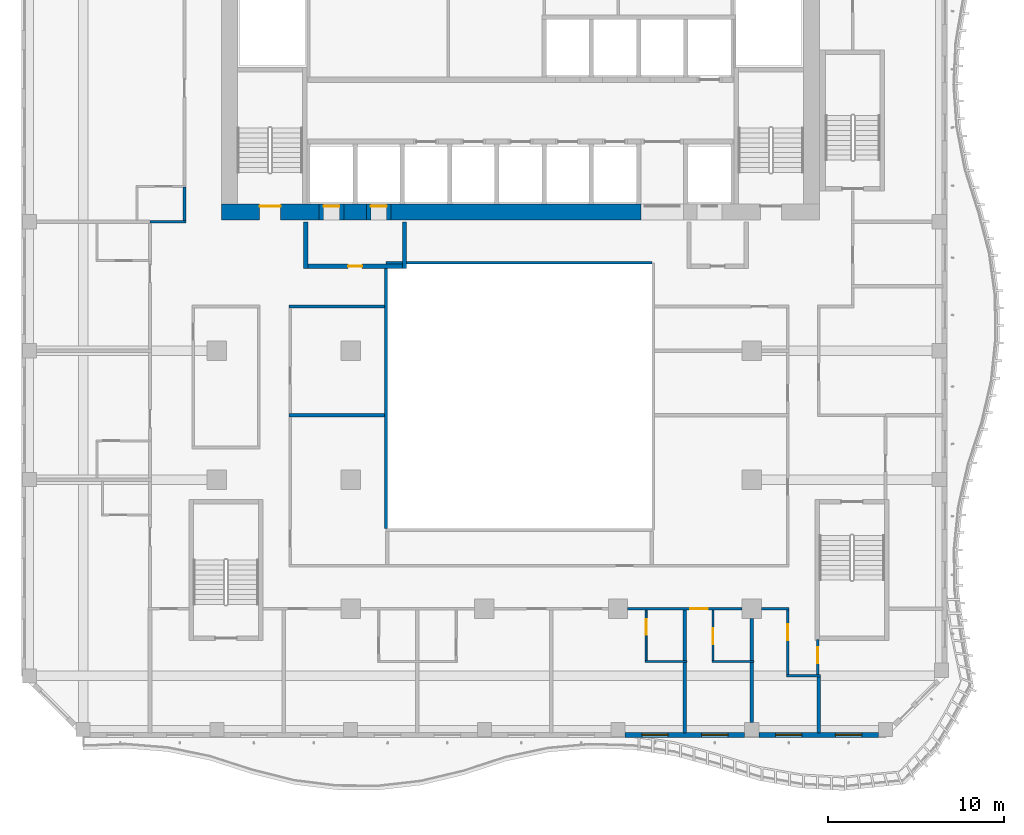
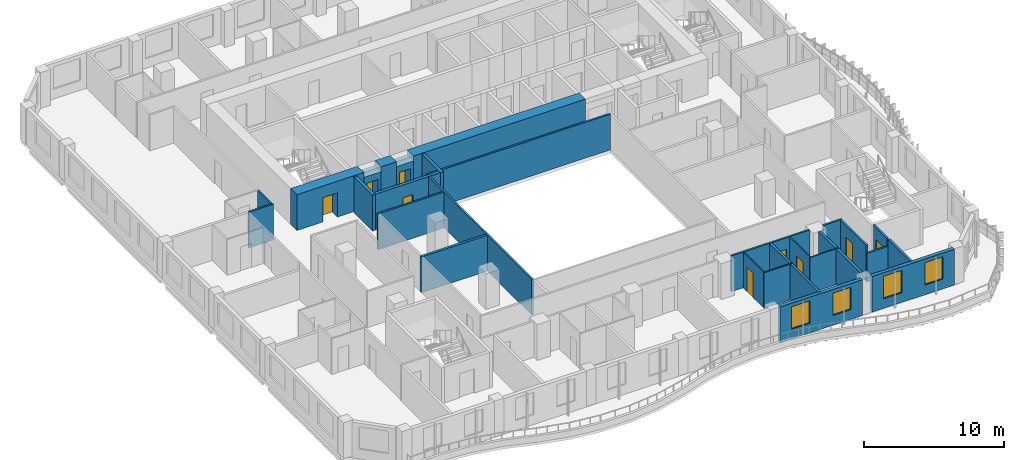
# One storey, part 4 of 20: 30 walls, 9 doors, 4 windows, 13 openings.
"""IFC4 building model written with IfcOpenShell, lengths in metres."""

from ifc_helpers import new_model, si_unit, direction, frame, frame_2d, origin, place, context, subcontext, project, spatial, rectangle, extrude, source, transform, mapped, material, layer, layer_set, type_object, element, fill, save


model = new_model("IFC4")

# Units and contexts
model_context = context("Model", 3, precision=1e-05, world=origin(), true_north=direction((0.0, 1.0)))
body_context = subcontext(model_context, "Body", "Model", "MODEL_VIEW")
ifc_project = project(units=[si_unit("LENGTHUNIT", "METRE"), si_unit("AREAUNIT", "SQUARE_METRE"), si_unit("VOLUMEUNIT", "CUBIC_METRE"), si_unit("PLANEANGLEUNIT", "RADIAN"), si_unit("MASSUNIT", "GRAM", prefix="KILO")], contexts=[model_context])

# Site, building, storey
site_placement = place(None, origin())
site = spatial("IfcSite", under=ifc_project, at=site_placement, CompositionType="ELEMENT")
building_placement = place(site_placement, origin())
building = spatial("IfcBuilding", under=site, at=building_placement, Name="Kilnfold Tower and Market Hall", CompositionType="ELEMENT")
storey_placement = place(building_placement, frame((0.0, 0.0, 157.5)))
storey = spatial("IfcBuildingStorey", under=building, at=storey_placement, Name="L36", CompositionType="ELEMENT", Elevation=157.5)

# Walls
ifc_material_1 = material(Name="Fire-resisting glazed screen")
ifc_layer_1 = layer(ifc_material_1, 0.14990234375)
ifc_layer_set_1 = layer_set([ifc_layer_1], Name="Fire-resisting glazed screen")
wall_type_1 = type_object("IfcWallType", Name="WALL ATRIUM 150", PredefinedType="PARTITIONING", material=ifc_layer_set_1)
wall_1_placement = place(storey_placement, frame((-6.574951171875, -9.39990234375, 0.0), z_axis=(0.0, 0.0, 1.0), x_axis=(0.0, 1.0, 0.0)))
element("IfcWall", 1, at=wall_1_placement, inside=storey, type_object=wall_type_1, Name="Partition LY23.108", PredefinedType="PARTITIONING", context=body_context, shape_type="SweptSolid", body=[
    extrude(rectangle(XDim=15.0, YDim=0.14990234375, at=frame_2d((7.5, 0.0))), origin(), (0.0, 0.0, 1.0), 3.1201171875),
])
wall_2_placement = place(storey_placement, frame((-6.574951171875, 5.675048828125, 0.0), z_axis=(0.0, 0.0, 1.0), x_axis=(1.0, 0.0, 0.0)))
element("IfcWall", 2, at=wall_2_placement, inside=storey, type_object=wall_type_1, Name="Partition LY23.109", PredefinedType="PARTITIONING", context=body_context, shape_type="SweptSolid", body=[
    extrude(rectangle(XDim=15.074951171875, YDim=0.14990234375, at=frame_2d((7.53759765625, 0.0))), origin(), (0.0, 0.0, 1.0), 3.1201171875),
])

# Wall, opening, door
ifc_material_2 = material(Name="Gypsum board on steel studs", Category="steel")
ifc_layer_2 = layer(ifc_material_2, 0.14990234375)
ifc_layer_set_2 = layer_set([ifc_layer_2], Name="Gypsum board on steel studs")
wall_type_2 = type_object("IfcWallType", Name="WALL CORRIDOR 150", PredefinedType="PARTITIONING", material=ifc_layer_set_2)
wall_3_placement = place(storey_placement, frame((7.133056640625, -13.93798828125, 0.0), z_axis=(0.0, 0.0, 1.0), x_axis=(1.0, 0.0, 0.0)))
wall_3 = element("IfcWall", 3, at=wall_3_placement, inside=storey, type_object=wall_type_2, Name="Partition LY23.5", PredefinedType="PARTITIONING", context=body_context, shape_type="SweptSolid", body=[
    extrude(rectangle(XDim=6.48388671875, YDim=0.14990234375, at=frame_2d((3.241943359375, 0.0))), origin(), (0.0, 0.0, 1.0), 3.1201171875),
])
opening_1_placement = place(wall_3_placement, frame((3.5380859375, 0.0, 0.0)))
opening_1 = element("IfcOpeningElement", 4, at=opening_1_placement, cuts=wall_3, Name="Opening D1", PredefinedType="OPENING", context=body_context, shape_type="SweptSolid", body=[
    extrude(rectangle(XDim=1.0, YDim=2.10009765625, at=frame_2d((0.5, 1.050048828125))), frame((0.0, 0.0849609375, 0.0), z_axis=(0.0, -1.0, 0.0), x_axis=(1.0, 0.0, 0.0)), (0.0, 0.0, 1.0), 0.169921875),
])
ifc_material_3 = material(Name="Timber veneer door leaf in steel frame", Category="steel")
door_type_1 = type_object("IfcDoorType", Name="DOOR ENTRY 1000 X2100", OperationType="NOTDEFINED", PredefinedType="DOOR", material=ifc_material_3)
door_1_placement = place(opening_1_placement, origin())
door_1 = element("IfcDoor", 5, at=door_1_placement, inside=storey, type_object=door_type_1, Name="Door D1", OperationType="SINGLE_SWING_RIGHT", OverallHeight=2.10009765625, OverallWidth=1.0, PredefinedType="DOOR", context=body_context, shape_type="SweptSolid", body=[
    extrude(rectangle(XDim=1.0, YDim=2.10009765625, at=frame_2d((0.5, 1.050048828125))), frame((0.0, 0.02490234375, 0.0), z_axis=(0.0, -1.0, 0.0), x_axis=(1.0, 0.0, 0.0)), (0.0, 0.0, 1.0), 0.050048828125),
])
fill(opening_1, door_1)

# Wall
wall_4_placement = place(storey_placement, frame((16.125, -17.75, 0.0), z_axis=(0.0, 0.0, 1.0), x_axis=(1.0, 0.0, 0.0)))
element("IfcWall", 6, at=wall_4_placement, inside=storey, type_object=wall_type_2, Name="Partition LY23.6", PredefinedType="PARTITIONING", context=body_context, shape_type="SweptSolid", body=[
    extrude(rectangle(XDim=1.93408203125, YDim=0.14990234375, at=frame_2d((0.967041015625, 0.0))), origin(), (0.0, 0.0, 1.0), 2.52001953125),
])

# Wall, opening, door
wall_5_placement = place(storey_placement, frame((16.199951171875, -17.675048828125, 0.0), z_axis=(0.0, 0.0, 1.0), x_axis=(0.0, 1.0, 0.0)))
wall_5 = element("IfcWall", 7, at=wall_5_placement, inside=storey, type_object=wall_type_2, Name="Partition LY23.7", PredefinedType="PARTITIONING", context=body_context, shape_type="SweptSolid", body=[
    extrude(rectangle(XDim=3.662109375, YDim=0.14990234375, at=frame_2d((1.8310546875, 0.0))), origin(), (0.0, 0.0, 1.0), 3.1201171875),
])
opening_2_placement = place(wall_5_placement, frame((1.946044921875, 0.0, 0.0)))
opening_2 = element("IfcOpeningElement", 8, at=opening_2_placement, cuts=wall_5, Name="Opening D2", PredefinedType="OPENING", context=body_context, shape_type="SweptSolid", body=[
    extrude(rectangle(XDim=0.89990234375, YDim=2.10009765625, at=frame_2d((0.449951171875, 1.050048828125))), frame((0.0, 0.0849609375, 0.0), z_axis=(0.0, -1.0, 0.0), x_axis=(1.0, 0.0, 0.0)), (0.0, 0.0, 1.0), 0.169921875),
])
ifc_material_4 = material(Name="Timber veneer door leaf in steel frame", Category="steel")
door_type_2 = type_object("IfcDoorType", Name="DOOR ROOM 900 X2100", OperationType="NOTDEFINED", PredefinedType="DOOR", material=ifc_material_4)
door_2_placement = place(opening_2_placement, origin())
door_2 = element("IfcDoor", 9, at=door_2_placement, inside=storey, type_object=door_type_2, Name="Door D2", OperationType="SINGLE_SWING_LEFT", OverallHeight=2.10009765625, OverallWidth=0.89990234375, PredefinedType="DOOR", context=body_context, shape_type="SweptSolid", body=[
    extrude(rectangle(XDim=0.89990234375, YDim=2.10009765625, at=frame_2d((0.449951171875, 1.050048828125))), frame((0.0, 0.02490234375, 0.0), z_axis=(0.0, -1.0, 0.0), x_axis=(1.0, 0.0, 0.0)), (0.0, 0.0, 1.0), 0.050048828125),
])
fill(opening_2, door_2)

# Wall
wall_6_placement = place(storey_placement, frame((14.717041015625, -13.93798828125, 0.0), z_axis=(0.0, 0.0, 1.0), x_axis=(1.0, 0.0, 0.0)))
element("IfcWall", 10, at=wall_6_placement, inside=storey, type_object=wall_type_2, Name="Partition LY23.8", PredefinedType="PARTITIONING", context=body_context, shape_type="SweptSolid", body=[
    extrude(rectangle(XDim=1.557861328125, YDim=0.14990234375, at=frame_2d((0.77880859375, 0.0))), origin(), (0.0, 0.0, 1.0), 3.1201171875),
])

# Wall, opening, door
wall_7_placement = place(storey_placement, frame((17.908935546875, -17.675048828125, 0.0), z_axis=(0.0, 0.0, 1.0), x_axis=(0.0, 1.0, 0.0)))
wall_7 = element("IfcWall", 11, at=wall_7_placement, inside=storey, type_object=wall_type_2, Name="Partition LY23.9", PredefinedType="PARTITIONING", context=body_context, shape_type="SweptSolid", body=[
    extrude(rectangle(XDim=1.97509765625, YDim=0.14990234375, at=frame_2d((0.987548828125, 0.0))), origin(), (0.0, 0.0, 1.0), 3.1201171875),
])
opening_3_placement = place(wall_7_placement, frame((0.64990234375, 0.0, 0.0)))
opening_3 = element("IfcOpeningElement", 12, at=opening_3_placement, cuts=wall_7, Name="Opening D2", PredefinedType="OPENING", context=body_context, shape_type="SweptSolid", body=[
    extrude(rectangle(XDim=0.89990234375, YDim=2.10009765625, at=frame_2d((0.449951171875, 1.050048828125))), frame((0.0, 0.0849609375, 0.0), z_axis=(0.0, -1.0, 0.0), x_axis=(1.0, 0.0, 0.0)), (0.0, 0.0, 1.0), 0.169921875),
])
door_3_placement = place(opening_3_placement, origin())
door_3 = element("IfcDoor", 13, at=door_3_placement, inside=storey, type_object=door_type_2, Name="Door D2", OperationType="SINGLE_SWING_LEFT", OverallHeight=2.10009765625, OverallWidth=0.89990234375, PredefinedType="DOOR", context=body_context, shape_type="SweptSolid", body=[
    extrude(rectangle(XDim=0.89990234375, YDim=2.10009765625, at=frame_2d((0.449951171875, 1.050048828125))), frame((0.0, 0.02490234375, 0.0), z_axis=(0.0, -1.0, 0.0), x_axis=(1.0, 0.0, 0.0)), (0.0, 0.0, 1.0), 0.050048828125),
])
fill(opening_3, door_3)

# Walls
wall_8_placement = place(storey_placement, frame((-17.925048828125, 8.0, 0.0), z_axis=(0.0, 0.0, 1.0), x_axis=(-1.0, 0.0, 0.0)))
element("IfcWall", 14, at=wall_8_placement, inside=storey, type_object=wall_type_2, Name="Partition LY23.19", PredefinedType="PARTITIONING", context=body_context, shape_type="SweptSolid", body=[
    extrude(rectangle(XDim=2.033935546875, YDim=0.14990234375, at=frame_2d((1.01708984375, 0.0))), origin(), (0.0, 0.0, 1.0), 3.1201171875),
])
wall_9_placement = place(storey_placement, frame((-18.0, 8.074951171875, 0.0), z_axis=(0.0, 0.0, 1.0), x_axis=(0.0, 1.0, 0.0)))
element("IfcWall", 15, at=wall_9_placement, inside=storey, type_object=wall_type_2, Name="Partition LY23.20", PredefinedType="PARTITIONING", context=body_context, shape_type="SweptSolid", body=[
    extrude(rectangle(XDim=1.885009765625, YDim=0.14990234375, at=frame_2d((0.9423828125, 0.0))), origin(), (0.0, 0.0, 1.0), 3.1201171875),
])
wall_10_placement = place(storey_placement, frame((-12.074951171875, 3.199951171875, 0.0), z_axis=(0.0, 0.0, 1.0), x_axis=(1.0, 0.0, 0.0)))
element("IfcWall", 16, at=wall_10_placement, inside=storey, type_object=wall_type_2, Name="Partition LY23.34", PredefinedType="PARTITIONING", context=body_context, shape_type="SweptSolid", body=[
    extrude(rectangle(XDim=5.425048828125, YDim=0.14990234375, at=frame_2d((2.71240234375, 0.0))), origin(), (0.0, 0.0, 1.0), 3.1201171875),
])

# Wall, opening, door
ifc_material_5 = material(Name="Gypsum board on steel studs", Category="steel")
ifc_layer_3 = layer(ifc_material_5, 0.10009765625)
ifc_layer_set_3 = layer_set([ifc_layer_3], Name="Gypsum board on steel studs")
wall_type_3 = type_object("IfcWallType", Name="WALL PARTITION 100", PredefinedType="PARTITIONING", material=ifc_layer_set_3)
wall_11_placement = place(storey_placement, frame((8.175048828125, -16.889892578125, 0.0), z_axis=(0.0, 0.0, 1.0), x_axis=(0.0, 1.0, 0.0)))
wall_11 = element("IfcWall", 17, at=wall_11_placement, inside=storey, type_object=wall_type_3, Name="Partition LY23.52", PredefinedType="PARTITIONING", context=body_context, shape_type="SweptSolid", body=[
    extrude(rectangle(XDim=2.875, YDim=0.10009765625, at=frame_2d((1.4375, 0.0))), origin(), (0.0, 0.0, 1.0), 3.1201171875),
])
opening_4_placement = place(wall_11_placement, frame((1.4599609375, 0.0, 0.0)))
opening_4 = element("IfcOpeningElement", 18, at=opening_4_placement, cuts=wall_11, Name="Opening D3", PredefinedType="OPENING", context=body_context, shape_type="SweptSolid", body=[
    extrude(rectangle(XDim=0.89990234375, YDim=2.10009765625, at=frame_2d((0.449951171875, 1.050048828125))), frame((0.0, 0.06005859375, 0.0), z_axis=(0.0, -1.0, 0.0), x_axis=(1.0, 0.0, 0.0)), (0.0, 0.0, 1.0), 0.1201171875),
])
ifc_material_6 = material(Name="Timber veneer door leaf in steel frame", Category="steel")
door_type_3 = type_object("IfcDoorType", Name="DOOR WC 900 X2100", OperationType="NOTDEFINED", PredefinedType="DOOR", material=ifc_material_6)
door_4_placement = place(opening_4_placement, origin())
door_4 = element("IfcDoor", 19, at=door_4_placement, inside=storey, type_object=door_type_3, Name="Door D3", OperationType="SINGLE_SWING_LEFT", OverallHeight=2.10009765625, OverallWidth=0.89990234375, PredefinedType="DOOR", context=body_context, shape_type="SweptSolid", body=[
    extrude(rectangle(XDim=0.89990234375, YDim=2.10009765625, at=frame_2d((0.449951171875, 1.050048828125))), frame((0.0, 0.02490234375, 0.0), z_axis=(0.0, -1.0, 0.0), x_axis=(1.0, 0.0, 0.0)), (0.0, 0.0, 1.0), 0.050048828125),
])
fill(opening_4, door_4)

# Wall
wall_12_placement = place(storey_placement, frame((8.125, -16.93994140625, 0.0), z_axis=(0.0, 0.0, 1.0), x_axis=(1.0, 0.0, 0.0)))
element("IfcWall", 20, at=wall_12_placement, inside=storey, type_object=wall_type_3, Name="Partition LY23.53", PredefinedType="PARTITIONING", context=body_context, shape_type="SweptSolid", body=[
    extrude(rectangle(XDim=2.35009765625, YDim=0.10009765625, at=frame_2d((1.175048828125, 0.0))), origin(), (0.0, 0.0, 1.0), 3.1201171875),
])

# Wall, opening, door
wall_13_placement = place(storey_placement, frame((11.967041015625, -16.889892578125, 0.0), z_axis=(0.0, 0.0, 1.0), x_axis=(0.0, 1.0, 0.0)))
wall_13 = element("IfcWall", 21, at=wall_13_placement, inside=storey, type_object=wall_type_3, Name="Partition LY23.56", PredefinedType="PARTITIONING", context=body_context, shape_type="SweptSolid", body=[
    extrude(rectangle(XDim=2.875, YDim=0.10009765625, at=frame_2d((1.4375, 0.0))), origin(), (0.0, 0.0, 1.0), 3.1201171875),
])
opening_5_placement = place(wall_13_placement, frame((0.93505859375, 0.0, 0.0)))
opening_5 = element("IfcOpeningElement", 22, at=opening_5_placement, cuts=wall_13, Name="Opening D3", PredefinedType="OPENING", context=body_context, shape_type="SweptSolid", body=[
    extrude(rectangle(XDim=0.89990234375, YDim=2.10009765625, at=frame_2d((0.449951171875, 1.050048828125))), frame((0.0, 0.06005859375, 0.0), z_axis=(0.0, -1.0, 0.0), x_axis=(1.0, 0.0, 0.0)), (0.0, 0.0, 1.0), 0.1201171875),
])
door_5_placement = place(opening_5_placement, origin())
door_5 = element("IfcDoor", 23, at=door_5_placement, inside=storey, type_object=door_type_3, Name="Door D3", OperationType="SINGLE_SWING_RIGHT", OverallHeight=2.10009765625, OverallWidth=0.89990234375, PredefinedType="DOOR", context=body_context, shape_type="SweptSolid", body=[
    extrude(rectangle(XDim=0.89990234375, YDim=2.10009765625, at=frame_2d((0.449951171875, 1.050048828125))), frame((0.0, 0.02490234375, 0.0), z_axis=(0.0, -1.0, 0.0), x_axis=(1.0, 0.0, 0.0)), (0.0, 0.0, 1.0), 0.050048828125),
])
fill(opening_5, door_5)

# Walls
wall_14_placement = place(storey_placement, frame((11.9169921875, -16.93994140625, 0.0), z_axis=(0.0, 0.0, 1.0), x_axis=(1.0, 0.0, 0.0)))
element("IfcWall", 24, at=wall_14_placement, inside=storey, type_object=wall_type_3, Name="Partition LY23.57", PredefinedType="PARTITIONING", context=body_context, shape_type="SweptSolid", body=[
    extrude(rectangle(XDim=2.35009765625, YDim=0.10009765625, at=frame_2d((1.175048828125, 0.0))), origin(), (0.0, 0.0, 1.0), 3.1201171875),
])
ifc_material_7 = material(Name="Gypsum board on steel studs", Category="steel")
ifc_layer_4 = layer(ifc_material_7, 0.199951171875)
ifc_layer_set_4 = layer_set([ifc_layer_4], Name="Gypsum board on steel studs")
wall_type_4 = type_object("IfcWallType", Name="WALL PARTY 200", PredefinedType="PARTITIONING", material=ifc_layer_set_4)
wall_15_placement = place(storey_placement, frame((10.375, -21.0, 0.0), z_axis=(0.0, 0.0, 1.0), x_axis=(0.0, 1.0, 0.0)))
element("IfcWall", 25, at=wall_15_placement, inside=storey, type_object=wall_type_4, Name="Partition LY23.54", PredefinedType="PARTITIONING", context=body_context, shape_type="SweptSolid", body=[
    extrude(rectangle(XDim=4.010009765625, YDim=0.199951171875, at=frame_2d((2.0048828125, 0.0))), origin(), (0.0, 0.0, 1.0), 3.1201171875),
])
wall_16_placement = place(storey_placement, frame((10.375, -16.889892578125, 0.0), z_axis=(0.0, 0.0, 1.0), x_axis=(0.0, 1.0, 0.0)))
element("IfcWall", 26, at=wall_16_placement, inside=storey, type_object=wall_type_4, Name="Partition LY23.55", PredefinedType="PARTITIONING", context=body_context, shape_type="SweptSolid", body=[
    extrude(rectangle(XDim=2.875, YDim=0.199951171875, at=frame_2d((1.4375, 0.0))), origin(), (0.0, 0.0, 1.0), 3.1201171875),
])
wall_17_placement = place(storey_placement, frame((14.1669921875, -20.39990234375, 0.0), z_axis=(0.0, 0.0, 1.0), x_axis=(0.0, 1.0, 0.0)))
element("IfcWall", 27, at=wall_17_placement, inside=storey, type_object=wall_type_4, Name="Partition LY23.58", PredefinedType="PARTITIONING", context=body_context, shape_type="SweptSolid", body=[
    extrude(rectangle(XDim=3.409912109375, YDim=0.199951171875, at=frame_2d((1.705078125, 0.0))), origin(), (0.0, 0.0, 1.0), 3.1201171875),
])
wall_18_placement = place(storey_placement, frame((14.1669921875, -16.889892578125, 0.0), z_axis=(0.0, 0.0, 1.0), x_axis=(0.0, 1.0, 0.0)))
element("IfcWall", 28, at=wall_18_placement, inside=storey, type_object=wall_type_4, Name="Partition LY23.59", PredefinedType="PARTITIONING", context=body_context, shape_type="SweptSolid", body=[
    extrude(rectangle(XDim=2.40185546875, YDim=0.199951171875, at=frame_2d((1.200927734375, 0.0))), origin(), (0.0, 0.0, 1.0), 3.1201171875),
])
wall_19_placement = place(storey_placement, frame((17.958984375, -21.0, 0.0), z_axis=(0.0, 0.0, 1.0), x_axis=(0.0, 1.0, 0.0)))
element("IfcWall", 29, at=wall_19_placement, inside=storey, type_object=wall_type_4, Name="Partition LY23.60", PredefinedType="PARTITIONING", context=body_context, shape_type="SweptSolid", body=[
    extrude(rectangle(XDim=3.173095703125, YDim=0.199951171875, at=frame_2d((1.58642578125, 0.0))), origin(), (0.0, 0.0, 1.0), 3.1201171875),
])
wall_20_placement = place(storey_placement, frame((-12.072998046875, -2.968994140625, 0.0), z_axis=(0.0, 0.0, 1.0), x_axis=(1.0, 0.0, 0.0)))
element("IfcWall", 30, at=wall_20_placement, inside=storey, type_object=wall_type_4, Name="Partition LY23.101", PredefinedType="PARTITIONING", context=body_context, shape_type="SweptSolid", body=[
    extrude(rectangle(XDim=5.423095703125, YDim=0.199951171875, at=frame_2d((2.71142578125, 0.0))), origin(), (0.0, 0.0, 1.0), 3.1201171875),
])

# Wall, opening, door
ifc_material_8 = material(Name="Concrete C70", Category="concrete")
ifc_layer_5 = layer(ifc_material_8, 0.89990234375)
ifc_layer_set_5 = layer_set([ifc_layer_5], Name="Concrete C70")
wall_type_5 = type_object("IfcWallType", Name="CORE WALL 900 C70", PredefinedType="SHEAR", material=ifc_layer_set_5)
shared_shape_1 = source(origin(), body_context, "Body", "SweptSolid", [
    extrude(rectangle(XDim=5.52978515625, YDim=0.89990234375, at=frame_2d((2.764892578125, 0.0))), origin(), (0.0, 0.0, 1.0), 3.1201171875),
])
wall_21_placement = place(storey_placement, frame((-15.89990234375, 8.550048828125, 0.0), z_axis=(0.0, 0.0, 1.0), x_axis=(1.0, 0.0, 0.0)))
wall_21 = element("IfcWall", 31, at=wall_21_placement, inside=storey, type_object=wall_type_5, Name="Core outer wall south", PredefinedType="SHEAR", context=body_context, shape_type="MappedRepresentation", body=[
    mapped(shared_shape_1, transform((0.0, 0.0, 0.0))),
])
opening_6_placement = place(wall_21_placement, frame((2.14990234375, 0.0, 0.0)))
opening_6 = element("IfcOpeningElement", 32, at=opening_6_placement, cuts=wall_21, Name="Opening SD1", PredefinedType="OPENING", context=body_context, shape_type="SweptSolid", body=[
    extrude(rectangle(XDim=1.199951171875, YDim=2.10009765625, at=frame_2d((0.60009765625, 1.050048828125))), frame((0.0, 0.4599609375, 0.0), z_axis=(0.0, -1.0, 0.0), x_axis=(1.0, 0.0, 0.0)), (0.0, 0.0, 1.0), 0.919921875),
])
ifc_material_9 = material(Name="Steel door set with fire-resisting leaf", Category="steel")
door_type_4 = type_object("IfcDoorType", Name="STAIR FLOOR DOOR 1200X2100", OperationType="NOTDEFINED", PredefinedType="DOOR", material=ifc_material_9)
door_6_placement = place(opening_6_placement, origin())
door_6 = element("IfcDoor", 33, at=door_6_placement, inside=storey, type_object=door_type_4, Name="Exit stair ST1 door", OperationType="DOUBLE_DOOR_SINGLE_SWING", OverallHeight=2.10009765625, OverallWidth=1.199951171875, PredefinedType="DOOR", context=body_context, shape_type="SweptSolid", body=[
    extrude(rectangle(XDim=1.199951171875, YDim=2.10009765625, at=frame_2d((0.60009765625, 1.050048828125))), frame((0.0, 0.35498046875, 0.0), z_axis=(0.0, -1.0, 0.0), x_axis=(1.0, 0.0, 0.0)), (0.0, 0.0, 1.0), 0.050048828125),
])
fill(opening_6, door_6)

# Walls
shared_shape_2 = source(origin(), body_context, "Body", "SweptSolid", [
    extrude(rectangle(XDim=1.280029296875, YDim=0.89990234375, at=frame_2d((0.64013671875, 0.0))), origin(), (0.0, 0.0, 1.0), 3.1201171875),
])
wall_22_placement = place(storey_placement, frame((-8.969970703125, 8.550048828125, 0.0), z_axis=(0.0, 0.0, 1.0), x_axis=(1.0, 0.0, 0.0)))
element("IfcWall", 34, at=wall_22_placement, inside=storey, type_object=wall_type_5, Name="Core outer wall south", PredefinedType="SHEAR", context=body_context, shape_type="MappedRepresentation", body=[
    mapped(shared_shape_2, transform((0.0, 0.0, 0.0))),
])
shared_shape_3 = source(origin(), body_context, "Body", "SweptSolid", [
    extrude(rectangle(XDim=14.179931640625, YDim=0.89990234375, at=frame_2d((7.08984375, 0.0))), origin(), (0.0, 0.0, 1.0), 3.1201171875),
])
wall_23_placement = place(storey_placement, frame((-6.2900390625, 8.550048828125, 0.0), z_axis=(0.0, 0.0, 1.0), x_axis=(1.0, 0.0, 0.0)))
element("IfcWall", 35, at=wall_23_placement, inside=storey, type_object=wall_type_5, Name="Core outer wall south", PredefinedType="SHEAR", context=body_context, shape_type="MappedRepresentation", body=[
    mapped(shared_shape_3, transform((0.0, 0.0, 0.0))),
])

# Wall, openings, windows
ifc_material_10 = material(Name="Precast concrete C50/60", Category="concrete")
ifc_layer_6 = layer(ifc_material_10, 0.300048828125)
ifc_layer_set_6 = layer_set([ifc_layer_6], Name="Precast concrete C50/60")
wall_type_6 = type_object("IfcWallType", Name="PRECAST WALL 300", PredefinedType="SOLIDWALL", material=ifc_layer_set_6)
shared_shape_4 = source(origin(), body_context, "Body", "SweptSolid", [
    extrude(rectangle(XDim=6.783447265625, YDim=0.300048828125, at=frame_2d((3.3916015625, 0.0))), origin(), (0.0, 0.0, 1.0), 3.1201171875),
])
wall_24_placement = place(storey_placement, frame((14.566650390625, -21.10009765625, 0.0), z_axis=(0.0, 0.0, 1.0), x_axis=(1.0, 0.0, 0.0)))
wall_24 = element("IfcWall", 36, at=wall_24_placement, inside=storey, type_object=wall_type_6, Name="External wall L36 S", PredefinedType="SOLIDWALL", context=body_context, shape_type="MappedRepresentation", body=[
    mapped(shared_shape_4, transform((0.0, 0.0, 0.0))),
])
opening_7_placement = place(wall_24_placement, frame((0.94580078125, 0.0, 0.85009765625)))
opening_7 = element("IfcOpeningElement", 37, at=opening_7_placement, cuts=wall_24, Name="Opening W4", PredefinedType="OPENING", context=body_context, shape_type="SweptSolid", body=[
    extrude(rectangle(XDim=1.5, YDim=1.949951171875, at=frame_2d((0.75, 0.97509765625))), frame((0.0, 0.16015625, 0.0), z_axis=(0.0, -1.0, 0.0), x_axis=(1.0, 0.0, 0.0)), (0.0, 0.0, 1.0), 0.320068359375),
])
opening_8_placement = place(wall_24_placement, frame((4.33740234375, 0.0, 0.85009765625)))
opening_8 = element("IfcOpeningElement", 38, at=opening_8_placement, cuts=wall_24, Name="Opening W4", PredefinedType="OPENING", context=body_context, shape_type="SweptSolid", body=[
    extrude(rectangle(XDim=1.5, YDim=1.949951171875, at=frame_2d((0.75, 0.97509765625))), frame((0.0, 0.16015625, 0.0), z_axis=(0.0, -1.0, 0.0), x_axis=(1.0, 0.0, 0.0)), (0.0, 0.0, 1.0), 0.320068359375),
])
ifc_material_11 = material(Name="Aluminium frame and double glazing", Category="aluminium")
window_type = type_object("IfcWindowType", Name="WINDOW W4 1500X1950", PartitioningType="SINGLE_PANEL", PredefinedType="WINDOW", material=ifc_material_11)
window_1_placement = place(opening_7_placement, origin())
window_1 = element("IfcWindow", 39, at=window_1_placement, inside=storey, type_object=window_type, Name="Window W4 L36 S-1", OverallHeight=1.949951171875, OverallWidth=1.5, PartitioningType="SINGLE_PANEL", PredefinedType="WINDOW", context=body_context, shape_type="SweptSolid", body=[
    extrude(rectangle(XDim=1.5, YDim=1.949951171875, at=frame_2d((0.75, 0.97509765625))), frame((0.0, 0.030029296875, 0.0), z_axis=(0.0, -1.0, 0.0), x_axis=(1.0, 0.0, 0.0)), (0.0, 0.0, 1.0), 0.06005859375),
])
fill(opening_7, window_1)
window_2_placement = place(opening_8_placement, origin())
window_2 = element("IfcWindow", 40, at=window_2_placement, inside=storey, type_object=window_type, Name="Window W4 L36 S-2", OverallHeight=1.949951171875, OverallWidth=1.5, PartitioningType="SINGLE_PANEL", PredefinedType="WINDOW", context=body_context, shape_type="SweptSolid", body=[
    extrude(rectangle(XDim=1.5, YDim=1.949951171875, at=frame_2d((0.75, 0.97509765625))), frame((0.0, 0.030029296875, 0.0), z_axis=(0.0, -1.0, 0.0), x_axis=(1.0, 0.0, 0.0)), (0.0, 0.0, 1.0), 0.06005859375),
])
fill(opening_8, window_2)

shared_shape_5 = source(origin(), body_context, "Body", "SweptSolid", [
    extrude(rectangle(XDim=6.783203125, YDim=0.300048828125, at=frame_2d((3.3916015625, 0.0))), origin(), (0.0, 0.0, 1.0), 3.1201171875),
])
wall_25_placement = place(storey_placement, frame((6.9833984375, -21.10009765625, 0.0), z_axis=(0.0, 0.0, 1.0), x_axis=(1.0, 0.0, 0.0)))
wall_25 = element("IfcWall", 41, at=wall_25_placement, inside=storey, type_object=wall_type_6, Name="External wall L36 S", PredefinedType="SOLIDWALL", context=body_context, shape_type="MappedRepresentation", body=[
    mapped(shared_shape_5, transform((0.0, 0.0, 0.0))),
])
opening_9_placement = place(wall_25_placement, frame((0.94580078125, 0.0, 0.85009765625)))
opening_9 = element("IfcOpeningElement", 42, at=opening_9_placement, cuts=wall_25, Name="Opening W4", PredefinedType="OPENING", context=body_context, shape_type="SweptSolid", body=[
    extrude(rectangle(XDim=1.5, YDim=1.949951171875, at=frame_2d((0.75, 0.97509765625))), frame((0.0, 0.16015625, 0.0), z_axis=(0.0, -1.0, 0.0), x_axis=(1.0, 0.0, 0.0)), (0.0, 0.0, 1.0), 0.320068359375),
])
opening_10_placement = place(wall_25_placement, frame((4.337646484375, 0.0, 0.85009765625)))
opening_10 = element("IfcOpeningElement", 43, at=opening_10_placement, cuts=wall_25, Name="Opening W4", PredefinedType="OPENING", context=body_context, shape_type="SweptSolid", body=[
    extrude(rectangle(XDim=1.5, YDim=1.949951171875, at=frame_2d((0.75, 0.97509765625))), frame((0.0, 0.16015625, 0.0), z_axis=(0.0, -1.0, 0.0), x_axis=(1.0, 0.0, 0.0)), (0.0, 0.0, 1.0), 0.320068359375),
])
window_3_placement = place(opening_9_placement, origin())
window_3 = element("IfcWindow", 44, at=window_3_placement, inside=storey, type_object=window_type, Name="Window W4 L36 S-1", OverallHeight=1.949951171875, OverallWidth=1.5, PartitioningType="SINGLE_PANEL", PredefinedType="WINDOW", context=body_context, shape_type="SweptSolid", body=[
    extrude(rectangle(XDim=1.5, YDim=1.949951171875, at=frame_2d((0.75, 0.97509765625))), frame((0.0, 0.030029296875, 0.0), z_axis=(0.0, -1.0, 0.0), x_axis=(1.0, 0.0, 0.0)), (0.0, 0.0, 1.0), 0.06005859375),
])
fill(opening_9, window_3)
window_4_placement = place(opening_10_placement, origin())
window_4 = element("IfcWindow", 45, at=window_4_placement, inside=storey, type_object=window_type, Name="Window W4 L36 S-2", OverallHeight=1.949951171875, OverallWidth=1.5, PartitioningType="SINGLE_PANEL", PredefinedType="WINDOW", context=body_context, shape_type="SweptSolid", body=[
    extrude(rectangle(XDim=1.5, YDim=1.949951171875, at=frame_2d((0.75, 0.97509765625))), frame((0.0, 0.030029296875, 0.0), z_axis=(0.0, -1.0, 0.0), x_axis=(1.0, 0.0, 0.0)), (0.0, 0.0, 1.0), 0.06005859375),
])
fill(opening_10, window_4)

# Wall, opening, door
ifc_material_12 = material(Name="Gypsum shaft wall system")
ifc_layer_7 = layer(ifc_material_12, 0.89990234375)
ifc_layer_set_7 = layer_set([ifc_layer_7], Name="Gypsum shaft wall system")
wall_type_7 = type_object("IfcWallType", Name="LOBBY WALL 900", PredefinedType="PARTITIONING", material=ifc_layer_set_7)
shared_shape_6 = source(origin(), body_context, "Body", "SweptSolid", [
    extrude(rectangle(XDim=1.400146484375, YDim=0.89990234375, at=frame_2d((0.7001953125, 0.0))), origin(), (0.0, 0.0, 1.0), 2.699951171875),
])
wall_26_placement = place(storey_placement, frame((-10.3701171875, 8.550048828125, 0.0), z_axis=(0.0, 0.0, 1.0), x_axis=(1.0, 0.0, 0.0)))
wall_26 = element("IfcWall", 46, at=wall_26_placement, inside=storey, type_object=wall_type_7, Name="Core wall infill", PredefinedType="PARTITIONING", context=body_context, shape_type="MappedRepresentation", body=[
    mapped(shared_shape_6, transform((0.0, 0.0, 0.0))),
])
opening_11_placement = place(wall_26_placement, frame((0.25, 0.0, 0.0)))
opening_11 = element("IfcOpeningElement", 47, at=opening_11_placement, cuts=wall_26, Name="Opening LD1", PredefinedType="OPENING", context=body_context, shape_type="SweptSolid", body=[
    extrude(rectangle(XDim=0.89990234375, YDim=2.10009765625, at=frame_2d((0.449951171875, 1.050048828125))), frame((0.0, 0.4599609375, 0.0), z_axis=(0.0, -1.0, 0.0), x_axis=(1.0, 0.0, 0.0)), (0.0, 0.0, 1.0), 0.919921875),
])
ifc_material_13 = material(Name="Steel door set with fire-resisting leaf", Category="steel")
door_type_5 = type_object("IfcDoorType", Name="FIREFIGHTING LANDING DOOR 900X2100", OperationType="NOTDEFINED", PredefinedType="DOOR", material=ifc_material_13)
door_7_placement = place(opening_11_placement, origin())
door_7 = element("IfcDoor", 48, at=door_7_placement, inside=storey, type_object=door_type_5, Name="Landing door FF1", OperationType="SLIDING_TO_LEFT", OverallHeight=2.10009765625, OverallWidth=0.89990234375, PredefinedType="DOOR", context=body_context, shape_type="SweptSolid", body=[
    extrude(rectangle(XDim=0.89990234375, YDim=2.10009765625, at=frame_2d((0.449951171875, 1.050048828125))), frame((0.0, 0.35498046875, 0.0), z_axis=(0.0, -1.0, 0.0), x_axis=(1.0, 0.0, 0.0)), (0.0, 0.0, 1.0), 0.050048828125),
])
fill(opening_11, door_7)

shared_shape_7 = source(origin(), body_context, "Body", "SweptSolid", [
    extrude(rectangle(XDim=1.39990234375, YDim=0.89990234375, at=frame_2d((0.699951171875, 0.0))), origin(), (0.0, 0.0, 1.0), 2.699951171875),
])
wall_27_placement = place(storey_placement, frame((-7.68994140625, 8.550048828125, 0.0), z_axis=(0.0, 0.0, 1.0), x_axis=(1.0, 0.0, 0.0)))
wall_27 = element("IfcWall", 49, at=wall_27_placement, inside=storey, type_object=wall_type_7, Name="Core wall infill", PredefinedType="PARTITIONING", context=body_context, shape_type="MappedRepresentation", body=[
    mapped(shared_shape_7, transform((0.0, 0.0, 0.0))),
])
opening_12_placement = place(wall_27_placement, frame((0.25, 0.0, 0.0)))
opening_12 = element("IfcOpeningElement", 50, at=opening_12_placement, cuts=wall_27, Name="Opening LD1", PredefinedType="OPENING", context=body_context, shape_type="SweptSolid", body=[
    extrude(rectangle(XDim=0.89990234375, YDim=2.10009765625, at=frame_2d((0.449951171875, 1.050048828125))), frame((0.0, 0.4599609375, 0.0), z_axis=(0.0, -1.0, 0.0), x_axis=(1.0, 0.0, 0.0)), (0.0, 0.0, 1.0), 0.919921875),
])
door_8_placement = place(opening_12_placement, origin())
door_8 = element("IfcDoor", 51, at=door_8_placement, inside=storey, type_object=door_type_5, Name="Landing door FF2", OperationType="SLIDING_TO_RIGHT", OverallHeight=2.10009765625, OverallWidth=0.89990234375, PredefinedType="DOOR", context=body_context, shape_type="SweptSolid", body=[
    extrude(rectangle(XDim=0.89990234375, YDim=2.10009765625, at=frame_2d((0.449951171875, 1.050048828125))), frame((0.0, 0.35498046875, 0.0), z_axis=(0.0, -1.0, 0.0), x_axis=(1.0, 0.0, 0.0)), (0.0, 0.0, 1.0), 0.050048828125),
])
fill(opening_12, door_8)

# Walls
ifc_material_14 = material(Name="Gypsum shaft wall system")
ifc_layer_8 = layer(ifc_material_14, 0.25)
ifc_layer_set_8 = layer_set([ifc_layer_8], Name="Gypsum shaft wall system")
wall_type_8 = type_object("IfcWallType", Name="LOBBY WALL 250", PredefinedType="PARTITIONING", material=ifc_layer_set_8)
shared_shape_8 = source(origin(), body_context, "Body", "SweptSolid", [
    extrude(rectangle(XDim=2.64990234375, YDim=0.25, at=frame_2d((1.324951171875, 0.0))), origin(), (0.0, 0.0, 1.0), 3.1201171875),
])
for number, where, z_axis, x_axis, name in (
    (52, (-11.135009765625, 5.35009765625, 0.0), (0.0, 0.0, 1.0), (0.0, 1.0, 0.0), "Firefighting lobby wall"),
    (53, (-5.52490234375, 5.35009765625, 0.0), (0.0, 0.0, 1.0), (0.0, 1.0, 0.0), "Firefighting lobby wall"),
):
    element("IfcWall", number, at=place(storey_placement, frame(where, z_axis=z_axis, x_axis=x_axis)), inside=storey, type_object=wall_type_8, Name=name, PredefinedType="PARTITIONING", context=body_context, shape_type="MappedRepresentation", body=[
        mapped(shared_shape_8, transform((0.0, 0.0, 0.0))),
    ])

# Wall, opening, door
shared_shape_9 = source(origin(), body_context, "Body", "SweptSolid", [
    extrude(rectangle(XDim=5.360107421875, YDim=0.25, at=frame_2d((2.68017578125, 0.0))), origin(), (0.0, 0.0, 1.0), 3.1201171875),
])
wall_28_placement = place(storey_placement, frame((-11.010009765625, 5.47509765625, 0.0), z_axis=(0.0, 0.0, 1.0), x_axis=(1.0, 0.0, 0.0)))
wall_28 = element("IfcWall", 54, at=wall_28_placement, inside=storey, type_object=wall_type_8, Name="Firefighting lobby wall", PredefinedType="PARTITIONING", context=body_context, shape_type="MappedRepresentation", body=[
    mapped(shared_shape_9, transform((0.0, 0.0, 0.0))),
])
opening_13_placement = place(wall_28_placement, frame((2.280029296875, 0.0, 0.0)))
opening_13 = element("IfcOpeningElement", 55, at=opening_13_placement, cuts=wall_28, Name="Opening VD1", PredefinedType="OPENING", context=body_context, shape_type="SweptSolid", body=[
    extrude(rectangle(XDim=0.800048828125, YDim=2.0, at=frame_2d((0.39990234375, 1.0))), frame((0.0, 0.135009765625, 0.0), z_axis=(0.0, -1.0, 0.0), x_axis=(1.0, 0.0, 0.0)), (0.0, 0.0, 1.0), 0.27001953125),
])
ifc_material_15 = material(Name="Steel door set with fire-resisting leaf", Category="steel")
door_type_6 = type_object("IfcDoorType", Name="FIREFIGHTING LOBBY DOOR 800X2000", OperationType="NOTDEFINED", PredefinedType="DOOR", material=ifc_material_15)
door_9_placement = place(opening_13_placement, origin())
door_9 = element("IfcDoor", 56, at=door_9_placement, inside=storey, type_object=door_type_6, Name="Firefighting lobby door", OperationType="SINGLE_SWING_LEFT", OverallHeight=2.0, OverallWidth=0.800048828125, PredefinedType="DOOR", context=body_context, shape_type="SweptSolid", body=[
    extrude(rectangle(XDim=0.800048828125, YDim=2.0, at=frame_2d((0.39990234375, 1.0))), frame((0.0, 0.02490234375, 0.0), z_axis=(0.0, -1.0, 0.0), x_axis=(1.0, 0.0, 0.0)), (0.0, 0.0, 1.0), 0.050048828125),
])
fill(opening_13, door_9)

save(model, "model.ifc")
